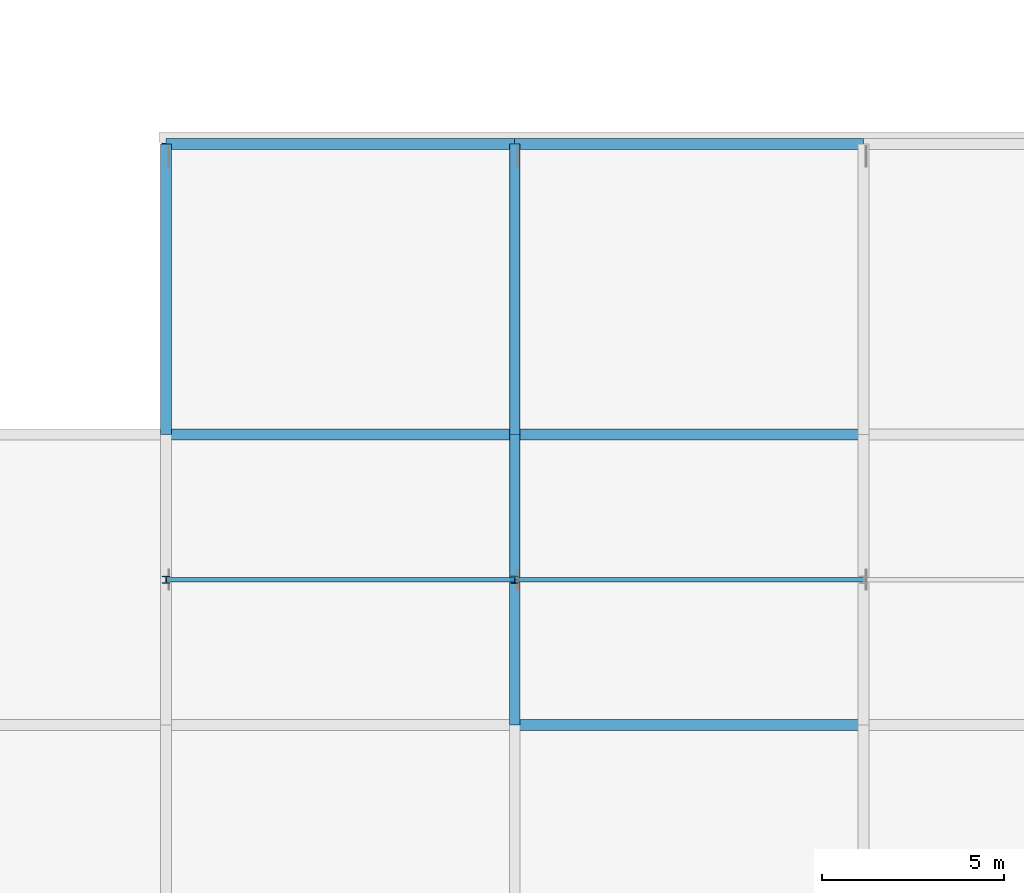
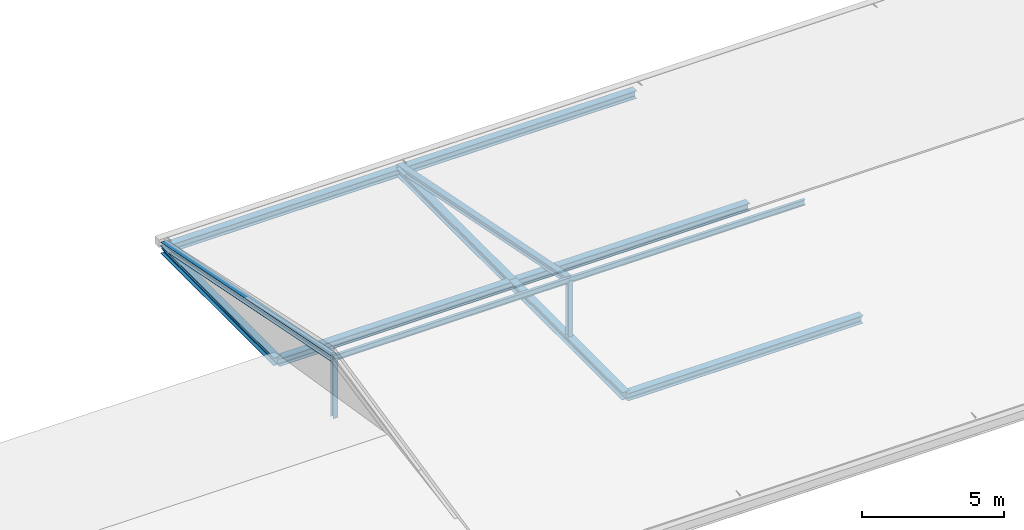
# One storey, part 22 of 34: 10 beams, 4 members.
"""IFC4 building model written with IfcOpenShell, lengths in metres."""

from ifc_helpers import new_model, si_unit, direction, frame, origin, origin_2d, place, context, subcontext, project, spatial, i_section, extrude, material, material_profile, profile_set, type_object, element, save


model = new_model("IFC4")

# Units and contexts
model_context = context("Model", 3, precision=1e-05, world=origin(), true_north=direction((0.0, 1.0)))
body_context = subcontext(model_context, "Body", "Model", "MODEL_VIEW")
ifc_project = project(units=[si_unit("LENGTHUNIT", "METRE"), si_unit("AREAUNIT", "SQUARE_METRE"), si_unit("VOLUMEUNIT", "CUBIC_METRE"), si_unit("PLANEANGLEUNIT", "RADIAN"), si_unit("MASSUNIT", "GRAM", prefix="KILO")], contexts=[model_context])

# Site, building, storey
site_placement = place(None, origin())
site = spatial("IfcSite", under=ifc_project, at=site_placement, CompositionType="ELEMENT")
building_placement = place(site_placement, origin())
building = spatial("IfcBuilding", under=site, at=building_placement, Name="Alderhovde Museum", CompositionType="ELEMENT")
storey_placement = place(building_placement, frame((0.0, 0.0, 25.800048828125)))
storey = spatial("IfcBuildingStorey", under=building, at=storey_placement, Name="L05", CompositionType="ELEMENT", Elevation=25.800048828125)

# Beams
ifc_material_1 = material(Name="Steel S355J2", Category="steel")
ifc_material_profile_1 = material_profile(ifc_material_1, i_section(OverallWidth=0.300048828125, OverallDepth=0.330078125, WebThickness=0.009521484375, FlangeThickness=0.0166015625, FilletRadius=0.027099609375, at=origin_2d()), Name="HEA 340")
ifc_profile_set_1 = profile_set([ifc_material_profile_1], Name="Steel S355J2")
beam_type_1 = type_object("IfcBeamType", Name="BM-HEA340", PredefinedType="BEAM", material=ifc_profile_set_1)
for number, where, z_axis, x_axis, name in (
    (1, (115.199951171875, 88.0, -0.420166015625), (0.0, 1.0, 0.0), (-1.0, 0.0, 0.0), "L05 Vol 5 Roof Tie X=115.2"),
    (2, (124.800048828125, 80.0, -0.420166015625), (0.0, 1.0, 0.0), (-1.0, 0.0, 0.0), "L05 Vol 5 Roof Tie X=124.8"),
    (3, (124.800048828125, 88.0, -0.420166015625), (0.0, 1.0, 0.0), (-1.0, 0.0, 0.0), "L05 Vol 5 Roof Tie X=124.8"),
):
    element("IfcBeam", number, at=place(storey_placement, frame(where, z_axis=z_axis, x_axis=x_axis)), inside=storey, type_object=beam_type_1, Name=name, PredefinedType="BEAM", context=body_context, shape_type="SweptSolid", body=[
        extrude(i_section(OverallWidth=0.300048828125, OverallDepth=0.330078125, WebThickness=0.009521484375, FlangeThickness=0.0166015625, FilletRadius=0.027099609375, at=origin_2d()), origin(), (0.0, 0.0, 1.0), 8.0),
    ])
beam_1_placement = place(storey_placement, frame((124.800048828125, 80.0, -0.420166015625), z_axis=(1.0, 0.0, 0.0), x_axis=(0.0, 1.0, 0.0)))
element("IfcBeam", 4, at=beam_1_placement, inside=storey, type_object=beam_type_1, Name="L05 Vol 5 Roof Beam Y=80", PredefinedType="BEAM", context=body_context, shape_type="SweptSolid", body=[
    extrude(i_section(OverallWidth=0.300048828125, OverallDepth=0.330078125, WebThickness=0.009521484375, FlangeThickness=0.0166015625, FilletRadius=0.027099609375, at=origin_2d()), origin(), (0.0, 0.0, 1.0), 9.599853515625),
])
beam_2_placement = place(storey_placement, frame((115.199951171875, 88.0, -0.420166015625), z_axis=(1.0, 0.0, 0.0), x_axis=(0.0, 1.0, 0.0)))
element("IfcBeam", 5, at=beam_2_placement, inside=storey, type_object=beam_type_1, Name="L05 Vol 5 Roof Beam Y=88", PredefinedType="BEAM", context=body_context, shape_type="SweptSolid", body=[
    extrude(i_section(OverallWidth=0.300048828125, OverallDepth=0.330078125, WebThickness=0.009521484375, FlangeThickness=0.0166015625, FilletRadius=0.027099609375, at=origin_2d()), origin(), (0.0, 0.0, 1.0), 9.60009765625),
])
beam_3_placement = place(storey_placement, frame((124.800048828125, 88.0, -0.420166015625), z_axis=(1.0, 0.0, 0.0), x_axis=(0.0, 1.0, 0.0)))
element("IfcBeam", 6, at=beam_3_placement, inside=storey, type_object=beam_type_1, Name="L05 Vol 5 Roof Beam Y=88", PredefinedType="BEAM", context=body_context, shape_type="SweptSolid", body=[
    extrude(i_section(OverallWidth=0.300048828125, OverallDepth=0.330078125, WebThickness=0.009521484375, FlangeThickness=0.0166015625, FilletRadius=0.027099609375, at=origin_2d()), origin(), (0.0, 0.0, 1.0), 9.599853515625),
])
beam_4_placement = place(storey_placement, frame((115.199951171875, 96.0, -0.420166015625), z_axis=(1.0, 0.0, 0.0), x_axis=(0.0, 1.0, 0.0)))
element("IfcBeam", 7, at=beam_4_placement, inside=storey, type_object=beam_type_1, Name="L05 Vol 5 Roof Beam Y=96", PredefinedType="BEAM", context=body_context, shape_type="SweptSolid", body=[
    extrude(i_section(OverallWidth=0.300048828125, OverallDepth=0.330078125, WebThickness=0.009521484375, FlangeThickness=0.0166015625, FilletRadius=0.027099609375, at=origin_2d()), origin(), (0.0, 0.0, 1.0), 9.60009765625),
])
beam_5_placement = place(storey_placement, frame((124.800048828125, 96.0, -0.420166015625), z_axis=(1.0, 0.0, 0.0), x_axis=(0.0, 1.0, 0.0)))
element("IfcBeam", 8, at=beam_5_placement, inside=storey, type_object=beam_type_1, Name="L05 Vol 5 Roof Beam Y=96", PredefinedType="BEAM", context=body_context, shape_type="SweptSolid", body=[
    extrude(i_section(OverallWidth=0.300048828125, OverallDepth=0.330078125, WebThickness=0.009521484375, FlangeThickness=0.0166015625, FilletRadius=0.027099609375, at=origin_2d()), origin(), (0.0, 0.0, 1.0), 9.599853515625),
])
ifc_material_2 = material(Name="Steel S355J2", Category="steel")
ifc_material_profile_2 = material_profile(ifc_material_2, i_section(OverallWidth=0.1201171875, OverallDepth=0.239990234375, WebThickness=0.006103515625, FlangeThickness=0.009765625, FilletRadius=0.014892578125, at=origin_2d()), Name="IPE 240")
ifc_profile_set_2 = profile_set([ifc_material_profile_2], Name="Steel S355J2")
beam_type_2 = type_object("IfcBeamType", Name="BM-IPE240", PredefinedType="BEAM", material=ifc_profile_set_2)
beam_6_placement = place(storey_placement, frame((115.199951171875, 84.0, 2.14990234375), z_axis=(1.0, 0.0, 0.0), x_axis=(0.0, 1.0, 0.0)))
element("IfcBeam", 9, at=beam_6_placement, inside=storey, type_object=beam_type_2, Name="L05 Vol 5 Ridge Beam (115.2 TO 124.8)", PredefinedType="BEAM", context=body_context, shape_type="SweptSolid", body=[
    extrude(i_section(OverallWidth=0.1201171875, OverallDepth=0.239990234375, WebThickness=0.006103515625, FlangeThickness=0.009765625, FilletRadius=0.014892578125, at=origin_2d()), origin(), (0.0, 0.0, 1.0), 9.60009765625),
])
beam_7_placement = place(storey_placement, frame((124.800048828125, 84.0, 2.14990234375), z_axis=(1.0, 0.0, 0.0), x_axis=(0.0, 1.0, 0.0)))
element("IfcBeam", 10, at=beam_7_placement, inside=storey, type_object=beam_type_2, Name="L05 Vol 5 Ridge Beam (124.8 TO 134.4)", PredefinedType="BEAM", context=body_context, shape_type="SweptSolid", body=[
    extrude(i_section(OverallWidth=0.1201171875, OverallDepth=0.239990234375, WebThickness=0.006103515625, FlangeThickness=0.009765625, FilletRadius=0.014892578125, at=origin_2d()), origin(), (0.0, 0.0, 1.0), 9.599853515625),
])

# Members
ifc_material_3 = material(Name="Steel S355J2", Category="steel")
ifc_material_profile_3 = material_profile(ifc_material_3, i_section(OverallWidth=0.260009765625, OverallDepth=0.25, WebThickness=0.007568359375, FlangeThickness=0.012451171875, FilletRadius=0.02392578125, at=origin_2d()), Name="HEA 260")
ifc_profile_set_3 = profile_set([ifc_material_profile_3], Name="Steel S355J2")
member_type_1 = type_object("IfcMemberType", Name="TR-CH-HEA260", PredefinedType="CHORD", material=ifc_profile_set_3)
for number, where, z_axis, x_axis, name in (
    (11, (115.199951171875, 96.0, -0.25), (0.0, -0.980582210276, 0.196108462057), (1.0, 0.0, 0.0), "L05 Vol 5 North Rafter X=115.2"),
    (12, (124.800048828125, 96.0, -0.25), (0.0, -0.980582210276, 0.196108462057), (1.0, 0.0, 0.0), "L05 Vol 5 North Rafter X=124.8"),
):
    element("IfcMember", number, at=place(storey_placement, frame(where, z_axis=z_axis, x_axis=x_axis)), inside=storey, type_object=member_type_1, Name=name, PredefinedType="CHORD", context=body_context, shape_type="SweptSolid", body=[
        extrude(i_section(OverallWidth=0.260009765625, OverallDepth=0.25, WebThickness=0.007568359375, FlangeThickness=0.012451171875, FilletRadius=0.02392578125, at=origin_2d()), origin(), (0.0, 0.0, 1.0), 12.237548828125),
    ])
ifc_material_4 = material(Name="Steel S355J2", Category="steel")
ifc_material_profile_4 = material_profile(ifc_material_4, i_section(OverallWidth=0.199951171875, OverallDepth=0.18994140625, WebThickness=0.006591796875, FlangeThickness=0.010009765625, FilletRadius=0.01806640625, at=origin_2d()), Name="HEA 200")
ifc_profile_set_4 = profile_set([ifc_material_profile_4], Name="Steel S355J2")
member_type_2 = type_object("IfcMemberType", Name="TR-PS-HEA200", PredefinedType="POST", material=ifc_profile_set_4)
for number, where, z_axis, x_axis, name in (
    (13, (115.199951171875, 84.0, -0.420166015625), (0.0, 0.0, 1.0), (1.0, 0.0, 0.0), "L05 Vol 5 Ridge Post X=115.2"),
    (14, (124.800048828125, 84.0, -0.420166015625), (0.0, 0.0, 1.0), (1.0, 0.0, 0.0), "L05 Vol 5 Ridge Post X=124.8"),
):
    element("IfcMember", number, at=place(storey_placement, frame(where, z_axis=z_axis, x_axis=x_axis)), inside=storey, type_object=member_type_2, Name=name, PredefinedType="POST", context=body_context, shape_type="SweptSolid", body=[
        extrude(i_section(OverallWidth=0.199951171875, OverallDepth=0.18994140625, WebThickness=0.006591796875, FlangeThickness=0.010009765625, FilletRadius=0.01806640625, at=origin_2d()), origin(), (0.0, 0.0, 1.0), 2.570068359375),
    ])

save(model, "model.ifc")
